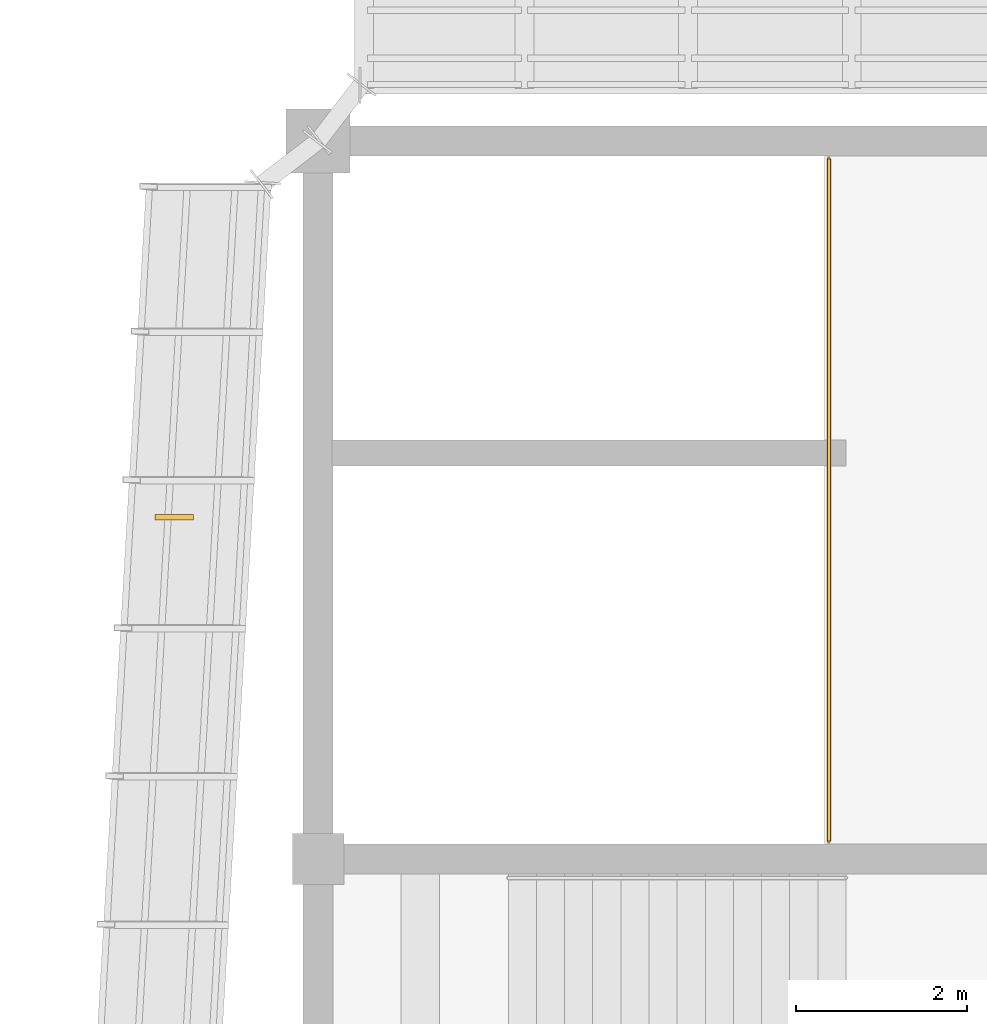
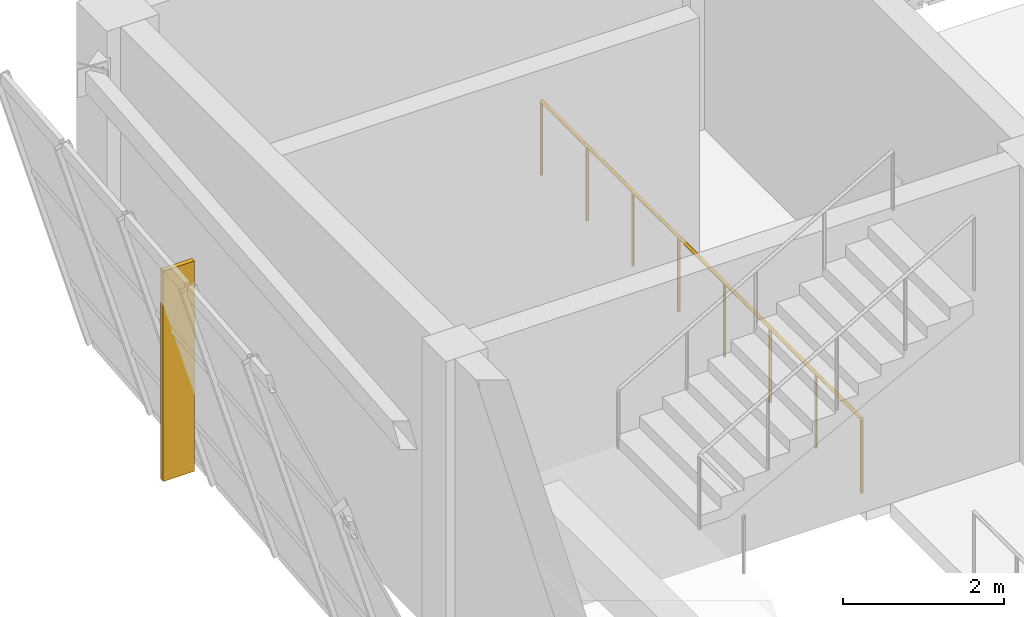
# One storey, part 70 of 71: 1 railing, 1 shading device.
"""IFC4 building model written with IfcOpenShell, lengths in metres."""

from ifc_helpers import new_model, si_unit, direction, frame, origin, origin_2d, place, context, subcontext, project, spatial, rectangle, circle, extrude, material, type_object, element, save


model = new_model("IFC4")

# Units and contexts
model_context = context("Model", 3, precision=1e-05, world=origin(), true_north=direction((0.0, 1.0)))
body_context = subcontext(model_context, "Body", "Model", "MODEL_VIEW")
ifc_project = project(units=[si_unit("LENGTHUNIT", "METRE"), si_unit("AREAUNIT", "SQUARE_METRE"), si_unit("VOLUMEUNIT", "CUBIC_METRE"), si_unit("PLANEANGLEUNIT", "RADIAN"), si_unit("MASSUNIT", "GRAM", prefix="KILO")], contexts=[model_context])

# Site, building, storey
site_placement = place(None, origin())
site = spatial("IfcSite", under=ifc_project, at=site_placement, CompositionType="ELEMENT")
building_placement = place(site_placement, origin())
building = spatial("IfcBuilding", under=site, at=building_placement, Name="Pellamere Symphony Hall", CompositionType="ELEMENT")
storey_placement = place(building_placement, frame((0.0, 0.0, 15.0)))
storey = spatial("IfcBuildingStorey", under=building, at=storey_placement, Name="L03", CompositionType="ELEMENT", Elevation=15.0)

# Shading device
ifc_material_1 = material(Name="Champagne-Anodised Extruded Aluminium 6063-T6", Category="aluminium")
shading_device_type = type_object("IfcShadingDeviceType", Name="Exterior Shading SD-01 65x450", PredefinedType="SHUTTER", material=ifc_material_1)
shading_device_placement = place(storey_placement, frame((48.718505859375, 89.199951171875, 0.64990234375), z_axis=(0.0, 0.0, 1.0), x_axis=(0.0, 1.0, 0.0)))
element("IfcShadingDevice", 1, at=shading_device_placement, inside=storey, type_object=shading_device_type, Name="Crystal Acoustic Sunshade Fin CW-CR15 (L03)", PredefinedType="SHUTTER", context=body_context, shape_type="SweptSolid", body=[
    extrude(rectangle(XDim=0.06494140625, YDim=0.449951171875, at=origin_2d()), origin(), (0.0, 0.0, 1.0), 3.199951171875),
])

# Railing
ifc_material_2 = material(Name="Painted Steel CSA G40.21 350W", Category="steel")
railing_type = type_object("IfcRailingType", Name="Guardrail GR-02 H1150 Painted", PredefinedType="GUARDRAIL", material=ifc_material_2)
railing_placement = place(storey_placement, frame((56.375, 85.409912109375, 0.0)))
element("IfcRailing", 2, at=railing_placement, inside=storey, type_object=railing_type, Name="Stair ST13-L02 Top Landing Well Guard (L03)", PredefinedType="GUARDRAIL", context=body_context, shape_type="SweptSolid", body=[
    extrude(circle(Radius=0.02392578125, at=origin_2d()), frame((0.0, 0.0, 1.1259765625), z_axis=(0.0, 1.0, 0.0), x_axis=(-1.0, 0.0, 0.0)), (0.0, 0.0, 1.0), 7.97998046875),
    extrude(circle(Radius=0.02099609375, at=origin_2d()), origin(), (0.0, 0.0, 1.0), 1.101806640625),
    extrude(circle(Radius=0.02099609375, at=origin_2d()), frame((0.0, 1.139892578125, 0.0)), (0.0, 0.0, 1.0), 1.101806640625),
    extrude(circle(Radius=0.02099609375, at=origin_2d()), frame((0.0, 2.280029296875, 0.0)), (0.0, 0.0, 1.0), 1.101806640625),
    extrude(circle(Radius=0.02099609375, at=origin_2d()), frame((0.0, 3.419921875, 0.0)), (0.0, 0.0, 1.0), 1.101806640625),
    extrude(circle(Radius=0.02099609375, at=origin_2d()), frame((0.0, 4.56005859375, 0.0)), (0.0, 0.0, 1.0), 1.101806640625),
    extrude(circle(Radius=0.02099609375, at=origin_2d()), frame((0.0, 5.699951171875, 0.0)), (0.0, 0.0, 1.0), 1.101806640625),
    extrude(circle(Radius=0.02099609375, at=origin_2d()), frame((0.0, 6.840087890625, 0.0)), (0.0, 0.0, 1.0), 1.101806640625),
    extrude(circle(Radius=0.02099609375, at=origin_2d()), frame((0.0, 7.97998046875, 0.0)), (0.0, 0.0, 1.0), 1.101806640625),
])

save(model, "model.ifc")
